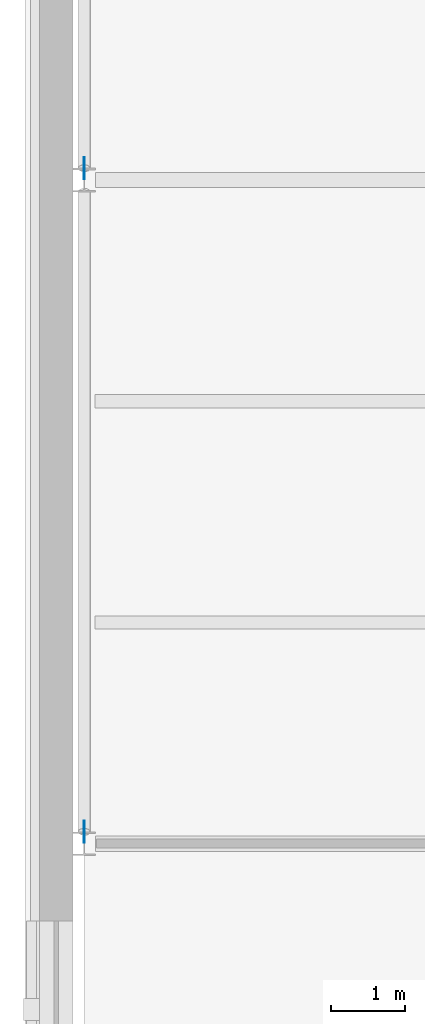
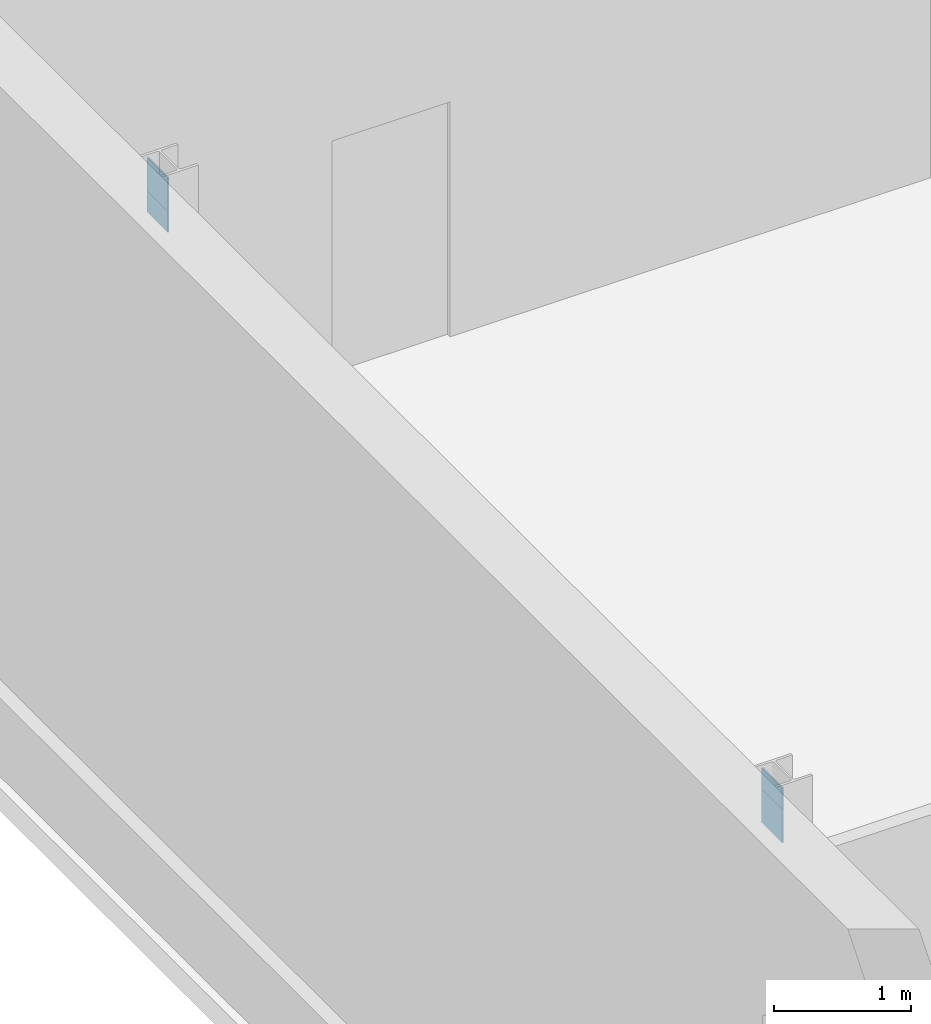
# One storey, part 79 of 106: 4 discrete accessories.
"""IFC4 building model written with IfcOpenShell, lengths in metres."""

from ifc_helpers import new_model, si_unit, direction, frame, origin, origin_2d, place, context, subcontext, project, spatial, rectangle, extrude, material, type_object, element, save


model = new_model("IFC4")

# Units and contexts
model_context = context("Model", 3, precision=1e-05, world=origin(), true_north=direction((0.0, 1.0)))
body_context = subcontext(model_context, "Body", "Model", "MODEL_VIEW")
ifc_project = project(units=[si_unit("LENGTHUNIT", "METRE"), si_unit("AREAUNIT", "SQUARE_METRE"), si_unit("VOLUMEUNIT", "CUBIC_METRE"), si_unit("PLANEANGLEUNIT", "RADIAN"), si_unit("MASSUNIT", "GRAM", prefix="KILO")], contexts=[model_context])

# Site, building, storey
site_placement = place(None, origin())
site = spatial("IfcSite", under=ifc_project, at=site_placement, CompositionType="ELEMENT")
building_placement = place(site_placement, origin())
building = spatial("IfcBuilding", under=site, at=building_placement, Name="Hortulan Conservatory and Botanical Research Centre", CompositionType="ELEMENT")
storey_placement = place(building_placement, origin())
storey = spatial("IfcBuildingStorey", under=building, at=storey_placement, Name="L00", CompositionType="ELEMENT", Elevation=0.0)

# Discrete accessories
ifc_material = material(Name="Steel Grade 300 plate (AS/NZS 3678, 280 MPa minimum yield)", Category="steel")
discrete_accessory_type = type_object("IfcDiscreteAccessoryType", Name="End Plate 300x12", PredefinedType="BRACKET", material=ifc_material)
for number, where, z_axis, x_axis, name in (
    (1, (0.0, 54.160400390625, 5.34814453125), (0.0, 0.0, 1.0), (0.0, -1.0, 0.0), "Brace end plate"),
    (2, (0.0, 54.160400390625, 5.5361328125), (0.0, 0.0, 1.0), (0.0, -1.0, 0.0), "Brace end plate"),
    (3, (0.0, 63.160400390625, 5.34814453125), (0.0, 0.0, 1.0), (0.0, -1.0, 0.0), "Brace end plate"),
    (4, (0.0, 63.160400390625, 5.5361328125), (0.0, 0.0, 1.0), (0.0, -1.0, 0.0), "Brace end plate"),
):
    element("IfcDiscreteAccessory", number, at=place(storey_placement, frame(where, z_axis=z_axis, x_axis=x_axis)), inside=storey, type_object=discrete_accessory_type, Name=name, PredefinedType="BRACKET", context=body_context, shape_type="SweptSolid", body=[
        extrude(rectangle(XDim=0.300048828125, YDim=0.011962890625, at=origin_2d()), origin(), (0.0, 0.0, 1.0), 0.300048828125),
    ])

save(model, "model.ifc")
